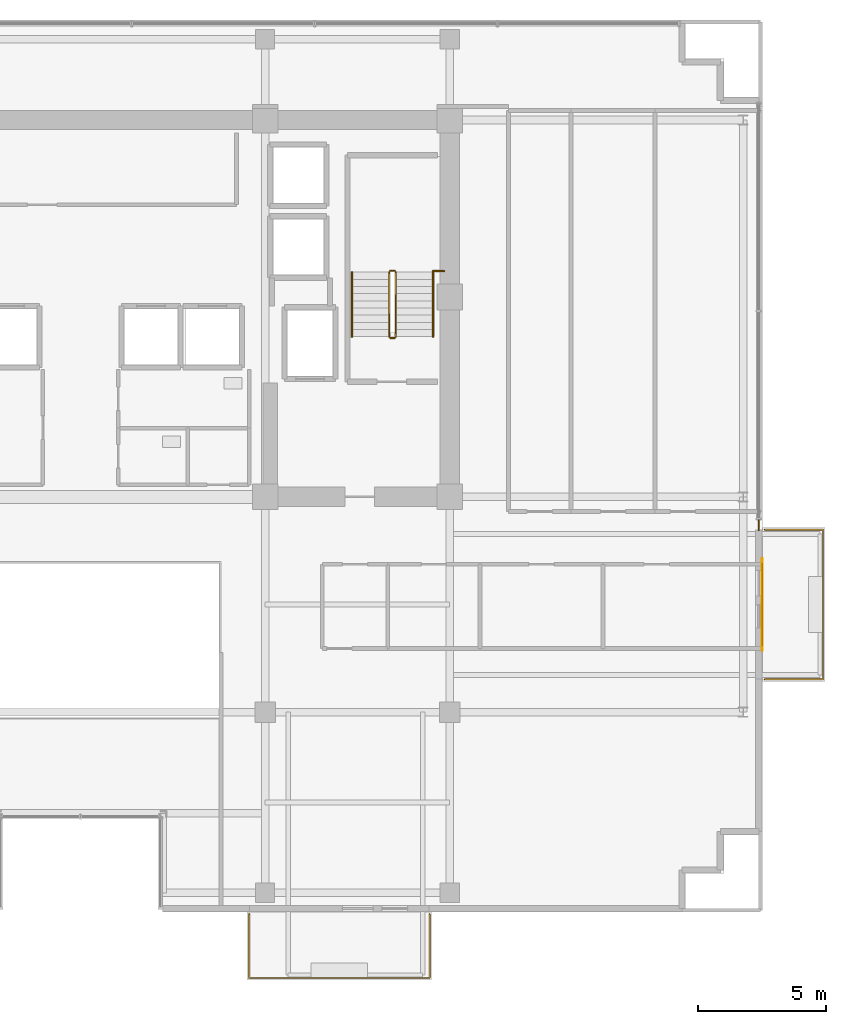
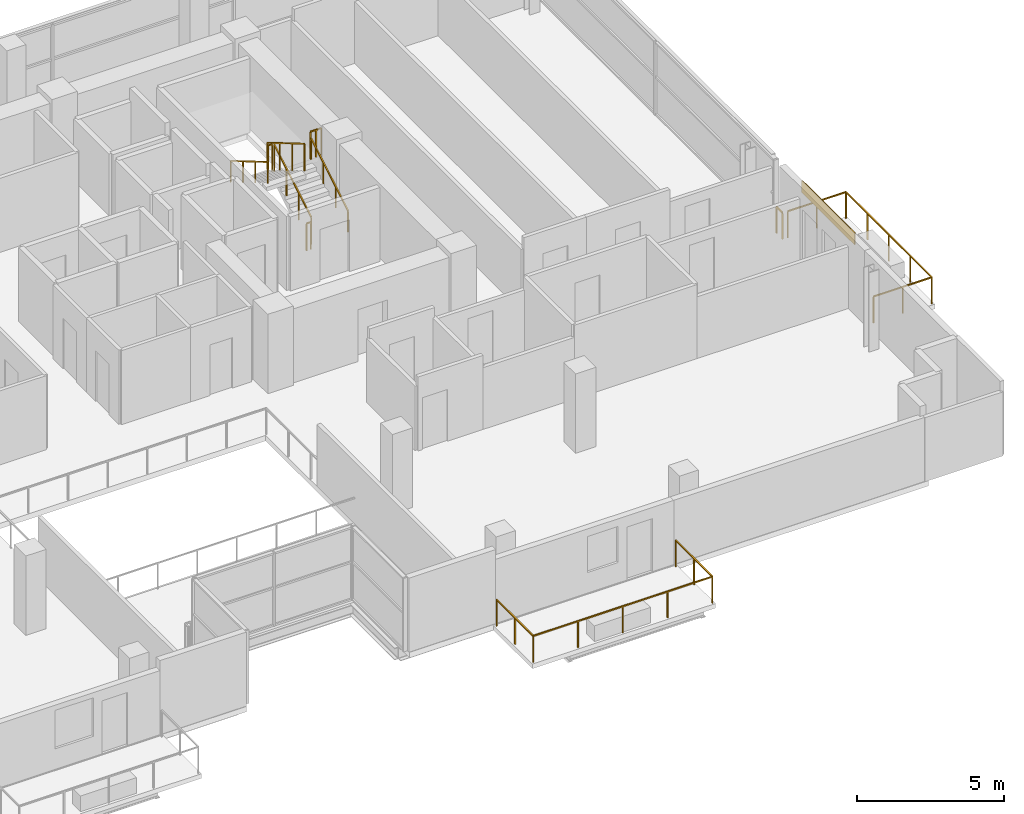
# One storey, part 20 of 21: 10 railings, 1 covering, 1 shading device.
"""IFC4 building model written with IfcOpenShell, lengths in metres."""

from ifc_helpers import new_model, si_unit, direction, frame, origin, origin_2d, place, context, subcontext, project, spatial, rectangle, extrude, source, transform, mapped, material, layer, layer_set, type_object, element, save


model = new_model("IFC4")

# Units and contexts
model_context = context("Model", 3, precision=1e-05, world=origin(), true_north=direction((0.0, 1.0)))
body_context = subcontext(model_context, "Body", "Model", "MODEL_VIEW")
ifc_project = project(units=[si_unit("LENGTHUNIT", "METRE"), si_unit("AREAUNIT", "SQUARE_METRE"), si_unit("VOLUMEUNIT", "CUBIC_METRE"), si_unit("PLANEANGLEUNIT", "RADIAN"), si_unit("MASSUNIT", "GRAM", prefix="KILO")], contexts=[model_context])

# Site, building, storey
site_placement = place(None, origin())
site = spatial("IfcSite", under=ifc_project, at=site_placement, CompositionType="ELEMENT")
building_placement = place(site_placement, origin())
building = spatial("IfcBuilding", under=site, at=building_placement, Name="Zarnakvel Exchange Tower", CompositionType="ELEMENT")
storey_placement = place(building_placement, frame((0.0, 0.0, 189.10009765625)))
storey = spatial("IfcBuildingStorey", under=building, at=storey_placement, Name="L53", CompositionType="ELEMENT", Elevation=189.10009765625)

# Railings
ifc_material_1 = material(Name="Architectural Bronze Anodised Aluminium", Category="aluminium")
railing_type_1 = type_object("IfcRailingType", Name="GR-02", PredefinedType="GUARDRAIL", material=ifc_material_1)
railing_1_placement = place(storey_placement, frame((6.580078125, -17.47998046875, -0.03515625)))
element("IfcRailing", 1, at=railing_1_placement, inside=storey, type_object=railing_type_1, Name="L53 Balcony Guardrail BAL-L53-SE", PredefinedType="GUARDRAIL", context=body_context, shape_type="SweptSolid", body=[
    extrude(rectangle(XDim=0.048095703125, YDim=0.048095703125, at=origin_2d()), frame((0.0, 0.0, 1.09619140625), z_axis=(0.0, -1.0, 0.0), x_axis=(1.0, 0.0, 0.0)), (0.0, 0.0, 1.0), 2.489990234375),
    extrude(rectangle(XDim=0.048095703125, YDim=0.048095703125, at=origin_2d()), frame((0.0, -2.489990234375, 1.09619140625), z_axis=(1.0, 0.0, 0.0), x_axis=(0.0, 1.0, 0.0)), (0.0, 0.0, 1.0), 7.0400390625),
    extrude(rectangle(XDim=0.048095703125, YDim=0.048095703125, at=origin_2d()), frame((7.0400390625, -2.489990234375, 1.09619140625), z_axis=(0.0, 1.0, 0.0), x_axis=(-1.0, 0.0, 0.0)), (0.0, 0.0, 1.0), 2.489990234375),
    extrude(rectangle(XDim=0.0419921875, YDim=0.0419921875, at=origin_2d()), origin(), (0.0, 0.0, 1.0), 1.072021484375),
    extrude(rectangle(XDim=0.0419921875, YDim=0.0419921875, at=origin_2d()), frame((0.0, -1.2451171875, 0.0)), (0.0, 0.0, 1.0), 1.072021484375),
    extrude(rectangle(XDim=0.0419921875, YDim=0.0419921875, at=origin_2d()), frame((0.0, -2.489990234375, 0.0)), (0.0, 0.0, 1.0), 1.072021484375),
    extrude(rectangle(XDim=0.0419921875, YDim=0.0419921875, at=origin_2d()), frame((1.760009765625, -2.489990234375, 0.0)), (0.0, 0.0, 1.0), 1.072021484375),
    extrude(rectangle(XDim=0.0419921875, YDim=0.0419921875, at=origin_2d()), frame((3.52001953125, -2.489990234375, 0.0)), (0.0, 0.0, 1.0), 1.072021484375),
    extrude(rectangle(XDim=0.0419921875, YDim=0.0419921875, at=origin_2d()), frame((5.280029296875, -2.489990234375, 0.0)), (0.0, 0.0, 1.0), 1.072021484375),
    extrude(rectangle(XDim=0.0419921875, YDim=0.0419921875, at=origin_2d()), frame((7.0400390625, -2.489990234375, 0.0)), (0.0, 0.0, 1.0), 1.072021484375),
    extrude(rectangle(XDim=0.0419921875, YDim=0.0419921875, at=origin_2d()), frame((7.0400390625, -1.2451171875, 0.0)), (0.0, 0.0, 1.0), 1.072021484375),
    extrude(rectangle(XDim=0.0419921875, YDim=0.0419921875, at=origin_2d()), frame((7.0400390625, 0.0, 0.0)), (0.0, 0.0, 1.0), 1.072021484375),
])
railing_2_placement = place(storey_placement, frame((26.679931640625, -8.320068359375, -0.03515625)))
element("IfcRailing", 2, at=railing_2_placement, inside=storey, type_object=railing_type_1, Name="L53 Balcony Guardrail BAL-L53-E", PredefinedType="GUARDRAIL", context=body_context, shape_type="SweptSolid", body=[
    extrude(rectangle(XDim=0.048095703125, YDim=0.048095703125, at=origin_2d()), frame((0.0, 0.0, 1.09619140625), z_axis=(1.0, 0.0, 0.0), x_axis=(0.0, 1.0, 0.0)), (0.0, 0.0, 1.0), 2.2900390625),
    extrude(rectangle(XDim=0.048095703125, YDim=0.048095703125, at=origin_2d()), frame((2.2900390625, 0.0, 1.09619140625), z_axis=(0.0, 1.0, 0.0), x_axis=(-1.0, 0.0, 0.0)), (0.0, 0.0, 1.0), 5.840087890625),
    extrude(rectangle(XDim=0.048095703125, YDim=0.048095703125, at=origin_2d()), frame((2.2900390625, 5.840087890625, 1.09619140625), z_axis=(-1.0, 0.0, 0.0), x_axis=(0.0, -1.0, 0.0)), (0.0, 0.0, 1.0), 2.2900390625),
    extrude(rectangle(XDim=0.0419921875, YDim=0.0419921875, at=origin_2d()), origin(), (0.0, 0.0, 1.0), 1.072021484375),
    extrude(rectangle(XDim=0.0419921875, YDim=0.0419921875, at=origin_2d()), frame((1.14501953125, 0.0, 0.0)), (0.0, 0.0, 1.0), 1.072021484375),
    extrude(rectangle(XDim=0.0419921875, YDim=0.0419921875, at=origin_2d()), frame((2.2900390625, 0.0, 0.0)), (0.0, 0.0, 1.0), 1.072021484375),
    extrude(rectangle(XDim=0.0419921875, YDim=0.0419921875, at=origin_2d()), frame((2.2900390625, 1.4599609375, 0.0)), (0.0, 0.0, 1.0), 1.072021484375),
    extrude(rectangle(XDim=0.0419921875, YDim=0.0419921875, at=origin_2d()), frame((2.2900390625, 2.919921875, 0.0)), (0.0, 0.0, 1.0), 1.072021484375),
    extrude(rectangle(XDim=0.0419921875, YDim=0.0419921875, at=origin_2d()), frame((2.2900390625, 4.380126953125, 0.0)), (0.0, 0.0, 1.0), 1.072021484375),
    extrude(rectangle(XDim=0.0419921875, YDim=0.0419921875, at=origin_2d()), frame((2.2900390625, 5.840087890625, 0.0)), (0.0, 0.0, 1.0), 1.072021484375),
    extrude(rectangle(XDim=0.0419921875, YDim=0.0419921875, at=origin_2d()), frame((1.14501953125, 5.840087890625, 0.0)), (0.0, 0.0, 1.0), 1.072021484375),
    extrude(rectangle(XDim=0.0419921875, YDim=0.0419921875, at=origin_2d()), frame((0.0, 5.840087890625, 0.0)), (0.0, 0.0, 1.0), 1.072021484375),
])
railing_3_placement = place(storey_placement, frame((26.4599609375, -2.10009765625, 0.0)))
element("IfcRailing", 3, at=railing_3_placement, inside=storey, type_object=railing_type_1, Name="L53 Corner Spandrel Balustrade #9", PredefinedType="GUARDRAIL", context=body_context, shape_type="SweptSolid", body=[
    extrude(rectangle(XDim=0.048095703125, YDim=0.048095703125, at=origin_2d()), frame((0.0, 0.0, 1.09619140625), z_axis=(0.0, -1.0, 0.0), x_axis=(1.0, 0.0, 0.0)), (0.0, 0.0, 1.0), 0.39990234375),
    extrude(rectangle(XDim=0.0419921875, YDim=0.0419921875, at=origin_2d()), origin(), (0.0, 0.0, 1.0), 1.072021484375),
    extrude(rectangle(XDim=0.0419921875, YDim=0.0419921875, at=origin_2d()), frame((0.0, -0.39990234375, 0.0)), (0.0, 0.0, 1.0), 1.072021484375),
])
ifc_material_2 = material(Name="Brushed Stainless Steel", Category="steel")
railing_type_2 = type_object("IfcRailingType", Name="HR-01", PredefinedType="HANDRAIL", material=ifc_material_2)
railing_4_placement = place(storey_placement, frame((13.75, 5.050048828125, 0.164794921875)))
element("IfcRailing", 4, at=railing_4_placement, inside=storey, type_object=railing_type_2, Name="L53 ST-02 stair handrail 1", PredefinedType="HANDRAIL", context=body_context, shape_type="SweptSolid", body=[
    extrude(rectangle(XDim=0.048095703125, YDim=0.048095703125, at=origin_2d()), frame((0.0, 0.0, 0.8759765625), z_axis=(0.0, 0.86152411907, 0.507716645641), x_axis=(-1.0, 0.0, 0.0)), (0.0, 0.0, 1.0), 2.925048828125),
    extrude(rectangle(XDim=0.0419921875, YDim=0.0419921875, at=origin_2d()), origin(), (0.0, 0.0, 1.0), 0.851806640625),
    extrude(rectangle(XDim=0.0419921875, YDim=0.0419921875, at=origin_2d()), frame((0.0, 0.840087890625, 0.4951171875)), (0.0, 0.0, 1.0), 0.851806640625),
    extrude(rectangle(XDim=0.0419921875, YDim=0.0419921875, at=origin_2d()), frame((0.0, 1.679931640625, 0.989990234375)), (0.0, 0.0, 1.0), 0.851806640625),
    extrude(rectangle(XDim=0.0419921875, YDim=0.0419921875, at=origin_2d()), frame((0.0, 2.52001953125, 1.485107421875)), (0.0, 0.0, 1.0), 0.851806640625),
])
railing_5_placement = place(storey_placement, frame((10.590087890625, 7.570068359375, 1.81494140625)))
element("IfcRailing", 5, at=railing_5_placement, inside=storey, type_object=railing_type_2, Name="L53 ST-02 stair handrail 2", PredefinedType="HANDRAIL", context=body_context, shape_type="SweptSolid", body=[
    extrude(rectangle(XDim=0.048095703125, YDim=0.048095703125, at=origin_2d()), frame((0.0, 0.0, 0.8759765625), z_axis=(0.0, -0.861560626758, 0.507654692109), x_axis=(1.0, 0.0, 0.0)), (0.0, 0.0, 1.0), 2.925048828125),
    extrude(rectangle(XDim=0.0419921875, YDim=0.0419921875, at=origin_2d()), origin(), (0.0, 0.0, 1.0), 0.851806640625),
    extrude(rectangle(XDim=0.0419921875, YDim=0.0419921875, at=origin_2d()), frame((0.0, -0.840087890625, 0.494873046875)), (0.0, 0.0, 1.0), 0.851806640625),
    extrude(rectangle(XDim=0.0419921875, YDim=0.0419921875, at=origin_2d()), frame((0.0, -1.679931640625, 0.989990234375)), (0.0, 0.0, 1.0), 0.851806640625),
    extrude(rectangle(XDim=0.0419921875, YDim=0.0419921875, at=origin_2d()), frame((0.0, -2.52001953125, 1.48486328125)), (0.0, 0.0, 1.0), 0.851806640625),
])
railing_type_3 = type_object("IfcRailingType", Name="SG-01", PredefinedType="GUARDRAIL", material=ifc_material_1)
railing_6_placement = place(storey_placement, frame((12.300048828125, 5.050048828125, 0.164794921875)))
element("IfcRailing", 6, at=railing_6_placement, inside=storey, type_object=railing_type_3, Name="L53 ST-02 stair guard 1", PredefinedType="GUARDRAIL", context=body_context, shape_type="SweptSolid", body=[
    extrude(rectangle(XDim=0.048095703125, YDim=0.048095703125, at=origin_2d()), frame((0.0, 0.0, 1.1259765625), z_axis=(0.0, 0.86152411907, 0.507716645641), x_axis=(-1.0, 0.0, 0.0)), (0.0, 0.0, 1.0), 2.925048828125),
    extrude(rectangle(XDim=0.0419921875, YDim=0.0419921875, at=origin_2d()), origin(), (0.0, 0.0, 1.0), 1.101806640625),
    extrude(rectangle(XDim=0.0419921875, YDim=0.0419921875, at=origin_2d()), frame((0.0, 0.840087890625, 0.4951171875)), (0.0, 0.0, 1.0), 1.101806640625),
    extrude(rectangle(XDim=0.0419921875, YDim=0.0419921875, at=origin_2d()), frame((0.0, 1.679931640625, 0.989990234375)), (0.0, 0.0, 1.0), 1.101806640625),
    extrude(rectangle(XDim=0.0419921875, YDim=0.0419921875, at=origin_2d()), frame((0.0, 2.52001953125, 1.485107421875)), (0.0, 0.0, 1.0), 1.101806640625),
])
railing_7_placement = place(storey_placement, frame((12.25, 7.6201171875, 1.64990234375)))
element("IfcRailing", 7, at=railing_7_placement, inside=storey, type_object=railing_type_3, Name="L53 ST-02 stair guard 2", PredefinedType="GUARDRAIL", context=body_context, shape_type="SweptSolid", body=[
    extrude(rectangle(XDim=0.048095703125, YDim=0.048095703125, at=origin_2d()), frame((0.0, 0.0, 1.1259765625), z_axis=(-1.0, 0.0, 0.0), x_axis=(0.0, -1.0, 0.0)), (0.0, 0.0, 1.0), 0.159912109375),
    extrude(rectangle(XDim=0.0419921875, YDim=0.0419921875, at=origin_2d()), origin(), (0.0, 0.0, 1.0), 1.101806640625),
    extrude(rectangle(XDim=0.0419921875, YDim=0.0419921875, at=origin_2d()), frame((-0.159912109375, 0.0, 0.0)), (0.0, 0.0, 1.0), 1.101806640625),
])
railing_8_placement = place(storey_placement, frame((12.0400390625, 7.570068359375, 1.81494140625)))
element("IfcRailing", 8, at=railing_8_placement, inside=storey, type_object=railing_type_3, Name="L53 ST-02 stair guard 3", PredefinedType="GUARDRAIL", context=body_context, shape_type="SweptSolid", body=[
    extrude(rectangle(XDim=0.048095703125, YDim=0.048095703125, at=origin_2d()), frame((0.0, 0.0, 1.1259765625), z_axis=(0.0, -0.861560626758, 0.507654692109), x_axis=(1.0, 0.0, 0.0)), (0.0, 0.0, 1.0), 2.925048828125),
    extrude(rectangle(XDim=0.0419921875, YDim=0.0419921875, at=origin_2d()), origin(), (0.0, 0.0, 1.0), 1.101806640625),
    extrude(rectangle(XDim=0.0419921875, YDim=0.0419921875, at=origin_2d()), frame((0.0, -0.840087890625, 0.494873046875)), (0.0, 0.0, 1.0), 1.101806640625),
    extrude(rectangle(XDim=0.0419921875, YDim=0.0419921875, at=origin_2d()), frame((0.0, -1.679931640625, 0.989990234375)), (0.0, 0.0, 1.0), 1.101806640625),
    extrude(rectangle(XDim=0.0419921875, YDim=0.0419921875, at=origin_2d()), frame((0.0, -2.52001953125, 1.48486328125)), (0.0, 0.0, 1.0), 1.101806640625),
])
railing_9_placement = place(storey_placement, frame((12.25, 5.0, 0.0)))
element("IfcRailing", 9, at=railing_9_placement, inside=storey, type_object=railing_type_3, Name="L53 ST-02 stair guard 4", PredefinedType="GUARDRAIL", context=body_context, shape_type="SweptSolid", body=[
    extrude(rectangle(XDim=0.048095703125, YDim=0.048095703125, at=origin_2d()), frame((0.0, 0.0, 1.1259765625), z_axis=(-1.0, 0.0, 0.0), x_axis=(0.0, -1.0, 0.0)), (0.0, 0.0, 1.0), 0.159912109375),
    extrude(rectangle(XDim=0.0419921875, YDim=0.0419921875, at=origin_2d()), origin(), (0.0, 0.0, 1.0), 1.101806640625),
    extrude(rectangle(XDim=0.0419921875, YDim=0.0419921875, at=origin_2d()), frame((-0.159912109375, 0.0, 0.0)), (0.0, 0.0, 1.0), 1.101806640625),
])
railing_10_placement = place(storey_placement, frame((13.75, 7.610107421875, 1.64990234375)))
element("IfcRailing", 10, at=railing_10_placement, inside=storey, type_object=railing_type_3, Name="L53 ST-02 Landing Slot Guardrail", PredefinedType="GUARDRAIL", context=body_context, shape_type="SweptSolid", body=[
    extrude(rectangle(XDim=0.048095703125, YDim=0.048095703125, at=origin_2d()), frame((0.0, 0.0, 1.1259765625), z_axis=(1.0, 0.0, 0.0), x_axis=(0.0, 1.0, 0.0)), (0.0, 0.0, 1.0), 0.429931640625),
    extrude(rectangle(XDim=0.0419921875, YDim=0.0419921875, at=origin_2d()), origin(), (0.0, 0.0, 1.0), 1.101806640625),
    extrude(rectangle(XDim=0.0419921875, YDim=0.0419921875, at=origin_2d()), frame((0.21484375, 0.0, 0.0)), (0.0, 0.0, 1.0), 1.101806640625),
    extrude(rectangle(XDim=0.0419921875, YDim=0.0419921875, at=origin_2d()), frame((0.429931640625, 0.0, 0.0)), (0.0, 0.0, 1.0), 1.101806640625),
])

# Covering
ifc_material_3 = material(Name="Warm Sandstone Terracotta Spandrel Tile", Category="masonry")
ifc_layer_1 = layer(ifc_material_3, 0.031982421875)
ifc_layer_set_1 = layer_set([ifc_layer_1], Name="Warm Sandstone Terracotta Spandrel Tile")
covering_type = type_object("IfcCoveringType", Name="CL-02", PredefinedType="CLADDING", material=ifc_layer_set_1)
shared_shape_1 = source(origin(), body_context, "Body", "SweptSolid", [
    extrude(rectangle(XDim=3.60009765625, YDim=0.031982421875, at=origin_2d()), origin(), (0.0, 0.0, 1.0), 0.4951171875),
])
covering_placement = place(storey_placement, frame((26.593994140625, -5.39990234375, 2.559814453125), z_axis=(0.0, 0.0, 1.0), x_axis=(0.0, -1.0, 0.0)))
element("IfcCovering", 11, at=covering_placement, inside=storey, type_object=covering_type, Name="L53 Ceramic Spandrel Tilework CL-02", PredefinedType="CLADDING", context=body_context, shape_type="MappedRepresentation", body=[
    mapped(shared_shape_1, transform((0.0, 0.0, 0.0), x_axis=(1.0, 0.0, 0.0), y_axis=(0.0, 1.0, 0.0), z_axis=(0.0, 0.0, 1.0), scale=1.0)),
])

# Shading device
ifc_material_4 = material(Name="Perforated Architectural Bronze Screen", Category="aluminium")
ifc_layer_2 = layer(ifc_material_4, 0.044921875)
ifc_layer_set_2 = layer_set([ifc_layer_2], Name="Perforated Architectural Bronze Screen")
shading_device_type = type_object("IfcShadingDeviceType", Name="SS-01", PredefinedType="JALOUSIE", material=ifc_layer_set_2)
shared_shape_2 = source(origin(), body_context, "Body", "SweptSolid", [
    extrude(rectangle(XDim=3.199951171875, YDim=0.044921875, at=origin_2d()), origin(), (0.0, 0.0, 1.0), 0.4951171875),
])
shading_device_placement = place(storey_placement, frame((26.6005859375, -5.39990234375, 2.559814453125), z_axis=(0.0, 0.0, 1.0), x_axis=(0.0, -1.0, 0.0)))
element("IfcShadingDevice", 12, at=shading_device_placement, inside=storey, type_object=shading_device_type, Name="L53 Bronze Solar Shading Screen SS-01", PredefinedType="JALOUSIE", context=body_context, shape_type="MappedRepresentation", body=[
    mapped(shared_shape_2, transform((0.0, 0.0, 0.0), x_axis=(1.0, 0.0, 0.0), y_axis=(0.0, 1.0, 0.0), z_axis=(0.0, 0.0, 1.0), scale=1.0)),
])

save(model, "model.ifc")
